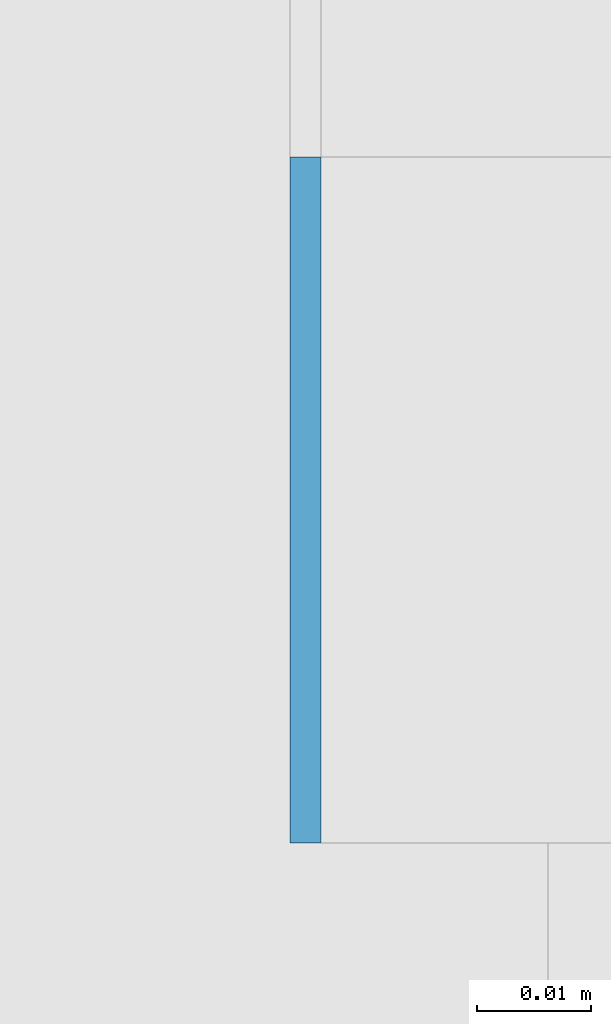
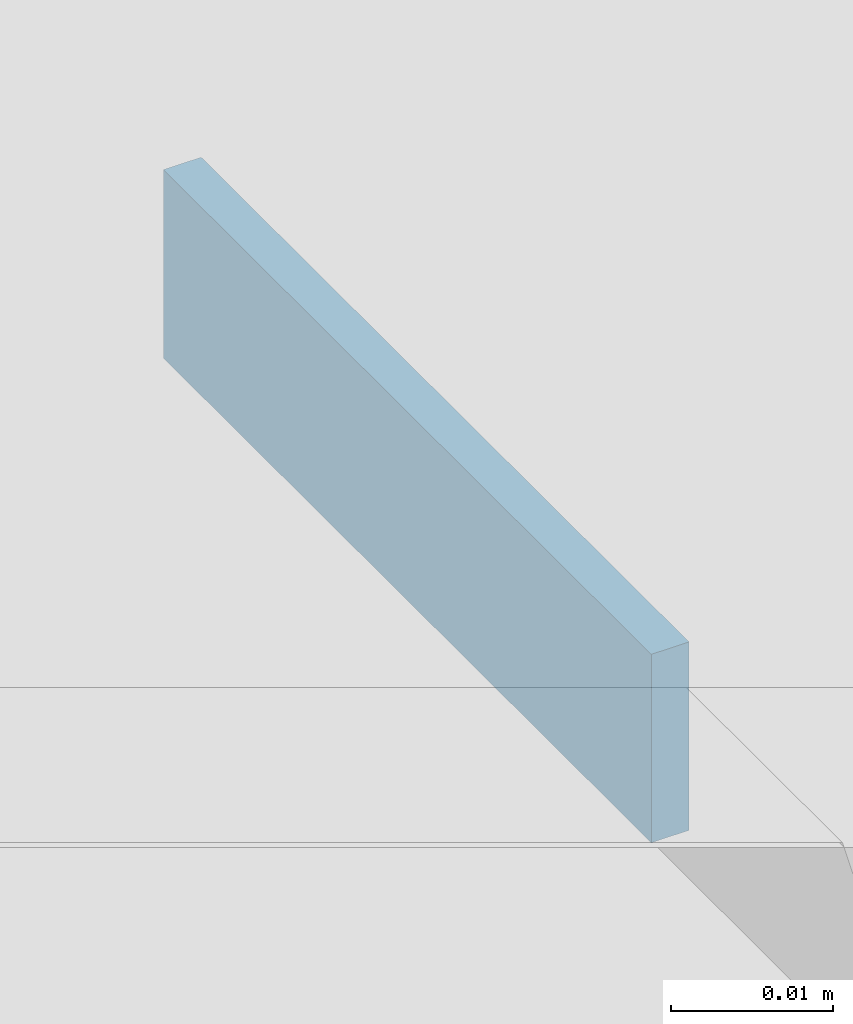
# One storey, part 571 of 646: 1 discrete accessory.
"""IFC4 building model written with IfcOpenShell, lengths in metres."""

from ifc_helpers import new_model, si_unit, direction, frame, origin, origin_2d, place, context, subcontext, project, spatial, rectangle, extrude, material, type_object, element, save


model = new_model("IFC4")

# Units and contexts
model_context = context("Model", 3, precision=1e-05, world=origin(), true_north=direction((0.0, 1.0)))
body_context = subcontext(model_context, "Body", "Model", "MODEL_VIEW")
ifc_project = project(units=[si_unit("LENGTHUNIT", "METRE"), si_unit("AREAUNIT", "SQUARE_METRE"), si_unit("VOLUMEUNIT", "CUBIC_METRE"), si_unit("PLANEANGLEUNIT", "RADIAN"), si_unit("MASSUNIT", "GRAM", prefix="KILO")], contexts=[model_context])

# Site, building, storey
site_placement = place(None, origin())
site = spatial("IfcSite", under=ifc_project, at=site_placement, CompositionType="ELEMENT")
building_placement = place(site_placement, origin())
building = spatial("IfcBuilding", under=site, at=building_placement, Name="Silverbay Arena", CompositionType="ELEMENT")
storey_placement = place(building_placement, frame((0.0, 0.0, 33.5)))
storey = spatial("IfcBuildingStorey", under=building, at=storey_placement, Name="L05", CompositionType="ELEMENT", Elevation=33.5)

# Discrete accessory
ifc_material = material(Name="Steel S355", Category="steel")
discrete_accessory_type = type_object("IfcDiscreteAccessoryType", Name="Steel bracket plate", PredefinedType="BRACKET", material=ifc_material)
discrete_accessory_placement = place(storey_placement, frame((207.128662109375, 107.969970703125, 12.98583984375), z_axis=(0.0, 0.0, 1.0), x_axis=(1.0, 0.0, 0.0)))
element("IfcDiscreteAccessory", 1, at=discrete_accessory_placement, inside=storey, type_object=discrete_accessory_type, Name="Curtain wall packing plate", PredefinedType="BRACKET", context=body_context, shape_type="SweptSolid", body=[
    extrude(rectangle(XDim=0.002685546875, YDim=0.06005859375, at=origin_2d()), origin(), (0.0, 0.0, 1.0), 0.01416015625),
])

save(model, "model.ifc")
